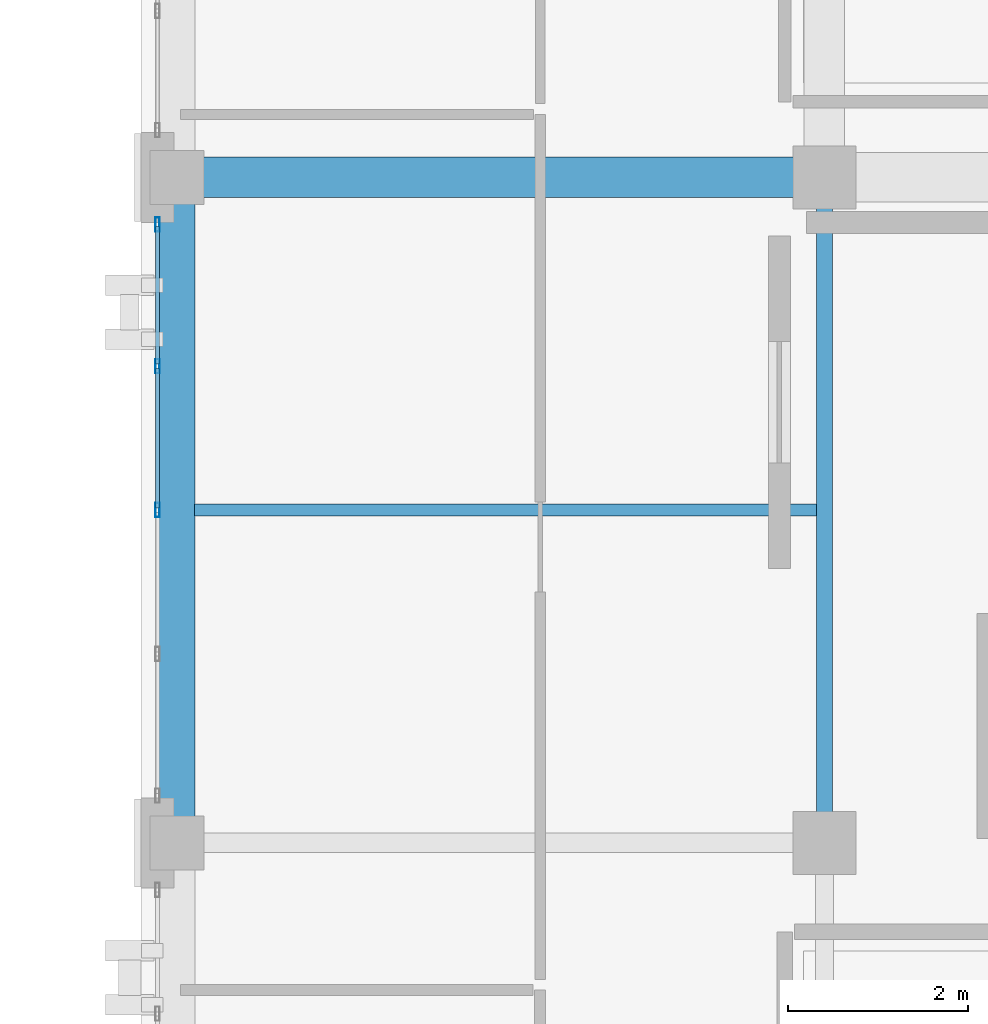
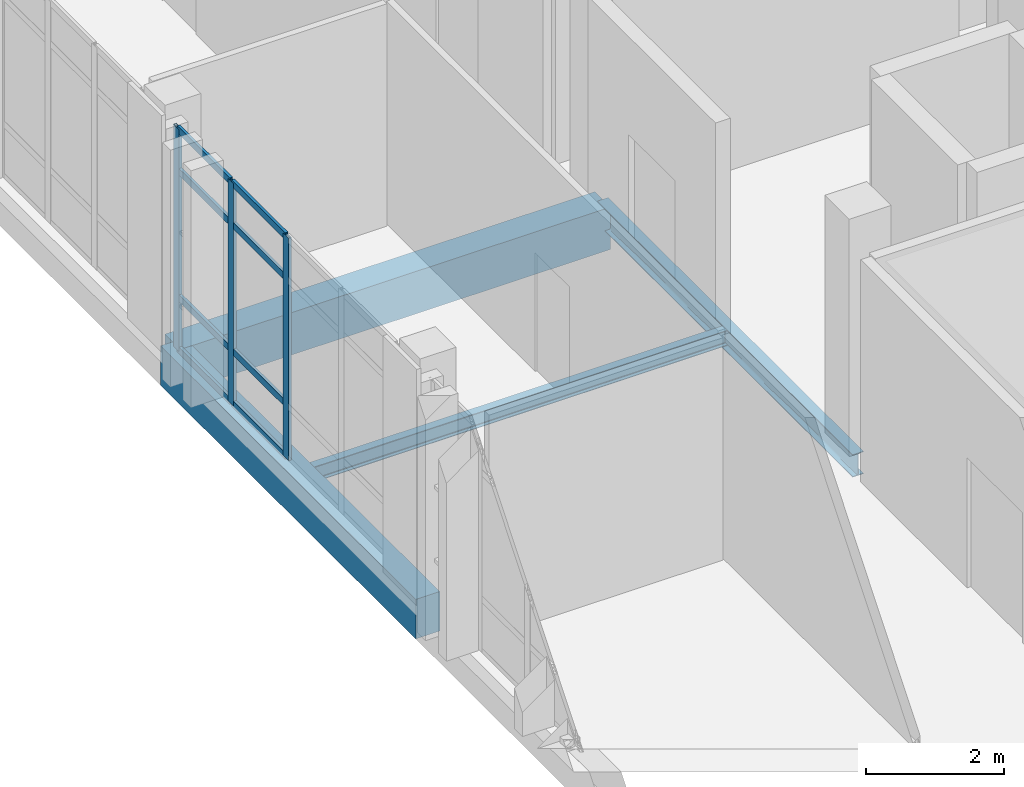
# One storey, part 32 of 77: 11 members, 4 beams, 1 element without a shape of its own.
"""IFC4 building model written with IfcOpenShell, lengths in metres."""

from ifc_helpers import new_model, si_unit, direction, frame, origin, origin_2d, place, context, subcontext, project, spatial, rectangle, hollow_rectangle, i_section, extrude, material, layer, layer_set, material_profile, profile_set, type_object, element, aggregate, save


model = new_model("IFC4")

# Units and contexts
model_context = context("Model", 3, precision=1e-05, world=origin(), true_north=direction((0.0, 1.0)))
body_context = subcontext(model_context, "Body", "Model", "MODEL_VIEW")
ifc_project = project(units=[si_unit("LENGTHUNIT", "METRE"), si_unit("AREAUNIT", "SQUARE_METRE"), si_unit("VOLUMEUNIT", "CUBIC_METRE"), si_unit("PLANEANGLEUNIT", "RADIAN"), si_unit("MASSUNIT", "GRAM", prefix="KILO")], contexts=[model_context])

# Site, building, storey
site_placement = place(None, origin())
site = spatial("IfcSite", under=ifc_project, at=site_placement, CompositionType="ELEMENT")
building_placement = place(site_placement, origin())
building = spatial("IfcBuilding", under=site, at=building_placement, Name="Qalavern Law Courts", CompositionType="ELEMENT")
storey_placement = place(building_placement, frame((0.0, 0.0, 27.0)))
storey = spatial("IfcBuildingStorey", under=building, at=storey_placement, Name="L06", CompositionType="ELEMENT", Elevation=27.0)

# Curtain wall, members
ifc_material_1 = material(Name="Anodised aluminium and insulated glazing", Category="aluminium")
ifc_layer = layer(ifc_material_1, 0.159912109375)
ifc_layer_set = layer_set([ifc_layer], Name="Anodised aluminium and insulated glazing")
curtain_wall_type = type_object("IfcCurtainWallType", Name="ENV-CW-CHAMB", PredefinedType="USERDEFINED", material=ifc_layer_set)
curtain_wall_placement = place(storey_placement, origin())
curtain_wall = element("IfcCurtainWall", 1, at=curtain_wall_placement, inside=storey, type_object=curtain_wall_type, Name="V4 unitised curtain wall L06 west 3", ObjectType="UNITISED CURTAIN WALL", PredefinedType="USERDEFINED")
ifc_material_2 = material(Name="Anodised aluminium", Category="aluminium")
ifc_material_profile_1 = material_profile(ifc_material_2, hollow_rectangle(XDim=0.048095703125, YDim=0.159912109375, WallThickness=0.00390625, at=origin_2d()), Name="ALU MULLION 48x160")
ifc_profile_set_1 = profile_set([ifc_material_profile_1], Name="Anodised aluminium")
member_type_1 = type_object("IfcMemberType", Name="ENV-CWM-48x160", PredefinedType="MULLION", material=ifc_profile_set_1)
member_1_placement = place(storey_placement, frame((84.385009765625, 72.27587890625, 0.0), z_axis=(0.0, 0.0, 1.0), x_axis=(1.0, 0.0, 0.0)))
member_1 = element("IfcMember", 2, at=member_1_placement, type_object=member_type_1, Name="CW-04 mullion 1", PredefinedType="MULLION", context=body_context, shape_type="SweptSolid", body=[
    extrude(hollow_rectangle(XDim=0.048095703125, YDim=0.159912109375, WallThickness=0.00390625, at=origin_2d()), origin(), (0.0, 0.0, 1.0), 3.93505859375),
])
member_2_placement = place(storey_placement, frame((84.385009765625, 70.699951171875, 0.0), z_axis=(0.0, 0.0, 1.0), x_axis=(1.0, 0.0, 0.0)))
member_2 = element("IfcMember", 3, at=member_2_placement, type_object=member_type_1, Name="CW-04 mullion 2", PredefinedType="MULLION", context=body_context, shape_type="SweptSolid", body=[
    extrude(hollow_rectangle(XDim=0.048095703125, YDim=0.159912109375, WallThickness=0.00390625, at=origin_2d()), origin(), (0.0, 0.0, 1.0), 3.93505859375),
])
member_3_placement = place(storey_placement, frame((84.385009765625, 69.10009765625, 0.0), z_axis=(0.0, 0.0, 1.0), x_axis=(1.0, 0.0, 0.0)))
member_3 = element("IfcMember", 4, at=member_3_placement, type_object=member_type_1, Name="CW-04 mullion 3", PredefinedType="MULLION", context=body_context, shape_type="SweptSolid", body=[
    extrude(hollow_rectangle(XDim=0.048095703125, YDim=0.159912109375, WallThickness=0.00390625, at=origin_2d()), origin(), (0.0, 0.0, 1.0), 3.93505859375),
])
ifc_material_profile_2 = material_profile(ifc_material_2, hollow_rectangle(XDim=0.048095703125, YDim=0.1201171875, WallThickness=0.00390625, at=origin_2d()), Name="ALU TRANSOM 48x120")
ifc_profile_set_2 = profile_set([ifc_material_profile_2], Name="Anodised aluminium")
member_type_2 = type_object("IfcMemberType", Name="ENV-CWT-48x120", PredefinedType="USERDEFINED", material=ifc_profile_set_2)
member_4_placement = place(storey_placement, frame((84.385009765625, 72.251953125, 0.02392578125), z_axis=(0.0, -1.0, 0.0), x_axis=(1.0, 0.0, 0.0)))
member_4 = element("IfcMember", 5, at=member_4_placement, type_object=member_type_2, Name="CW-04 transom 1.1", ObjectType="TRANSOM", PredefinedType="USERDEFINED", context=body_context, shape_type="SweptSolid", body=[
    extrude(hollow_rectangle(XDim=0.048095703125, YDim=0.1201171875, WallThickness=0.00390625, at=origin_2d()), origin(), (0.0, 0.0, 1.0), 1.52783203125),
])
member_5_placement = place(storey_placement, frame((84.385009765625, 72.251953125, 0.949951171875), z_axis=(0.0, -1.0, 0.0), x_axis=(1.0, 0.0, 0.0)))
member_5 = element("IfcMember", 6, at=member_5_placement, type_object=member_type_2, Name="CW-04 transom 1.2", ObjectType="TRANSOM", PredefinedType="USERDEFINED", context=body_context, shape_type="SweptSolid", body=[
    extrude(hollow_rectangle(XDim=0.048095703125, YDim=0.1201171875, WallThickness=0.00390625, at=origin_2d()), origin(), (0.0, 0.0, 1.0), 1.52783203125),
])
member_6_placement = place(storey_placement, frame((84.385009765625, 72.251953125, 3.18505859375), z_axis=(0.0, -1.0, 0.0), x_axis=(1.0, 0.0, 0.0)))
member_6 = element("IfcMember", 7, at=member_6_placement, type_object=member_type_2, Name="CW-04 transom 1.3", ObjectType="TRANSOM", PredefinedType="USERDEFINED", context=body_context, shape_type="SweptSolid", body=[
    extrude(hollow_rectangle(XDim=0.048095703125, YDim=0.1201171875, WallThickness=0.00390625, at=origin_2d()), origin(), (0.0, 0.0, 1.0), 1.52783203125),
])
member_7_placement = place(storey_placement, frame((84.385009765625, 72.251953125, 3.910888671875), z_axis=(0.0, -1.0, 0.0), x_axis=(1.0, 0.0, 0.0)))
member_7 = element("IfcMember", 8, at=member_7_placement, type_object=member_type_2, Name="CW-04 transom 1.4", ObjectType="TRANSOM", PredefinedType="USERDEFINED", context=body_context, shape_type="SweptSolid", body=[
    extrude(hollow_rectangle(XDim=0.048095703125, YDim=0.1201171875, WallThickness=0.00390625, at=origin_2d()), origin(), (0.0, 0.0, 1.0), 1.52783203125),
])
member_8_placement = place(storey_placement, frame((84.385009765625, 70.676025390625, 0.02392578125), z_axis=(0.0, -1.0, 0.0), x_axis=(1.0, 0.0, 0.0)))
member_8 = element("IfcMember", 9, at=member_8_placement, type_object=member_type_2, Name="CW-04 transom 2.1", ObjectType="TRANSOM", PredefinedType="USERDEFINED", context=body_context, shape_type="SweptSolid", body=[
    extrude(hollow_rectangle(XDim=0.048095703125, YDim=0.1201171875, WallThickness=0.00390625, at=origin_2d()), origin(), (0.0, 0.0, 1.0), 1.552001953125),
])
member_9_placement = place(storey_placement, frame((84.385009765625, 70.676025390625, 0.949951171875), z_axis=(0.0, -1.0, 0.0), x_axis=(1.0, 0.0, 0.0)))
member_9 = element("IfcMember", 10, at=member_9_placement, type_object=member_type_2, Name="CW-04 transom 2.2", ObjectType="TRANSOM", PredefinedType="USERDEFINED", context=body_context, shape_type="SweptSolid", body=[
    extrude(hollow_rectangle(XDim=0.048095703125, YDim=0.1201171875, WallThickness=0.00390625, at=origin_2d()), origin(), (0.0, 0.0, 1.0), 1.552001953125),
])
member_10_placement = place(storey_placement, frame((84.385009765625, 70.676025390625, 3.18505859375), z_axis=(0.0, -1.0, 0.0), x_axis=(1.0, 0.0, 0.0)))
member_10 = element("IfcMember", 11, at=member_10_placement, type_object=member_type_2, Name="CW-04 transom 2.3", ObjectType="TRANSOM", PredefinedType="USERDEFINED", context=body_context, shape_type="SweptSolid", body=[
    extrude(hollow_rectangle(XDim=0.048095703125, YDim=0.1201171875, WallThickness=0.00390625, at=origin_2d()), origin(), (0.0, 0.0, 1.0), 1.552001953125),
])
member_11_placement = place(storey_placement, frame((84.385009765625, 70.676025390625, 3.910888671875), z_axis=(0.0, -1.0, 0.0), x_axis=(1.0, 0.0, 0.0)))
member_11 = element("IfcMember", 12, at=member_11_placement, type_object=member_type_2, Name="CW-04 transom 2.4", ObjectType="TRANSOM", PredefinedType="USERDEFINED", context=body_context, shape_type="SweptSolid", body=[
    extrude(hollow_rectangle(XDim=0.048095703125, YDim=0.1201171875, WallThickness=0.00390625, at=origin_2d()), origin(), (0.0, 0.0, 1.0), 1.552001953125),
])
aggregate(curtain_wall, [member_1, member_2, member_3, member_4, member_5, member_6, member_7, member_8, member_9, member_10, member_11])

# Beams
ifc_material_3 = material(Name="Steel S355", Category="steel")
ifc_material_profile_3 = material_profile(ifc_material_3, i_section(OverallWidth=0.179931640625, OverallDepth=0.39990234375, WebThickness=0.008544921875, FlangeThickness=0.013427734375, FilletRadius=0.02099609375, at=origin_2d()), Name="IPE 400")
ifc_profile_set_3 = profile_set([ifc_material_profile_3], Name="Steel S355")
beam_type_1 = type_object("IfcBeamType", Name="STR-BM-IPE400", PredefinedType="BEAM", material=ifc_profile_set_3)
beam_1_placement = place(storey_placement, frame((91.800048828125, 65.39990234375, -0.469970703125), z_axis=(0.0, 1.0, 0.0), x_axis=(-1.0, 0.0, 0.0)))
element("IfcBeam", 13, at=beam_1_placement, inside=storey, type_object=beam_type_1, Name="V4 Y-beam 2-3 L06", PredefinedType="BEAM", context=body_context, shape_type="SweptSolid", body=[
    extrude(i_section(OverallWidth=0.179931640625, OverallDepth=0.39990234375, WebThickness=0.008544921875, FlangeThickness=0.013427734375, FilletRadius=0.02099609375, at=origin_2d()), origin(), (0.0, 0.0, 1.0), 7.400146484375),
])
ifc_material_4 = material(Name="Concrete C40/50", Category="concrete")
ifc_material_profile_4 = material_profile(ifc_material_4, rectangle(XDim=0.449951171875, YDim=0.75, at=origin_2d()), Name="RC 450x750")
ifc_profile_set_4 = profile_set([ifc_material_profile_4], Name="Concrete C40/50")
beam_type_2 = type_object("IfcBeamType", Name="STR-BM-RC450x750", PredefinedType="BEAM", material=ifc_profile_set_4)
beam_2_placement = place(storey_placement, frame((84.60009765625, 72.800048828125, -0.64501953125), z_axis=(1.0, 0.0, 0.0), x_axis=(0.0, 1.0, 0.0)))
element("IfcBeam", 14, at=beam_2_placement, inside=storey, type_object=beam_type_2, Name="V4 X-beam 5-1 L06", PredefinedType="BEAM", context=body_context, shape_type="SweptSolid", body=[
    extrude(rectangle(XDim=0.449951171875, YDim=0.75, at=origin_2d()), origin(), (0.0, 0.0, 1.0), 7.199951171875),
])
ifc_material_profile_5 = material_profile(ifc_material_3, i_section(OverallWidth=0.135009765625, OverallDepth=0.27001953125, WebThickness=0.006591796875, FlangeThickness=0.01025390625, FilletRadius=0.014892578125, at=origin_2d()), Name="IPE 270")
ifc_profile_set_5 = profile_set([ifc_material_profile_5], Name="Steel S355")
beam_type_3 = type_object("IfcBeamType", Name="STR-JST-IPE270", PredefinedType="JOIST", material=ifc_profile_set_5)
beam_3_placement = place(storey_placement, frame((84.798095703125, 69.10009765625, -0.405029296875), z_axis=(1.0, 0.0, 0.0), x_axis=(0.0, 1.0, 0.0)))
element("IfcBeam", 15, at=beam_3_placement, inside=storey, type_object=beam_type_3, Name="V4 secondary joist 1.4.1 L06", PredefinedType="JOIST", context=body_context, shape_type="SweptSolid", body=[
    extrude(i_section(OverallWidth=0.135009765625, OverallDepth=0.27001953125, WebThickness=0.006591796875, FlangeThickness=0.01025390625, FilletRadius=0.014892578125, at=origin_2d()), origin(), (0.0, 0.0, 1.0), 6.913818359375),
])
ifc_material_profile_6 = material_profile(ifc_material_4, rectangle(XDim=0.39990234375, YDim=0.699951171875, at=origin_2d()), Name="RC 400x700")
ifc_profile_set_6 = profile_set([ifc_material_profile_6], Name="Concrete C40/50")
beam_type_4 = type_object("IfcBeamType", Name="STR-SP-RC400x700", PredefinedType="SPANDREL", material=ifc_profile_set_6)
beam_4_placement = place(storey_placement, frame((84.60009765625, 65.39990234375, -0.6201171875), z_axis=(0.0, 1.0, 0.0), x_axis=(-1.0, 0.0, 0.0)))
element("IfcBeam", 16, at=beam_4_placement, inside=storey, type_object=beam_type_4, Name="V4 Y-beam 1-4 L06", PredefinedType="SPANDREL", context=body_context, shape_type="SweptSolid", body=[
    extrude(rectangle(XDim=0.39990234375, YDim=0.699951171875, at=origin_2d()), origin(), (0.0, 0.0, 1.0), 7.400146484375),
])

save(model, "model.ifc")
